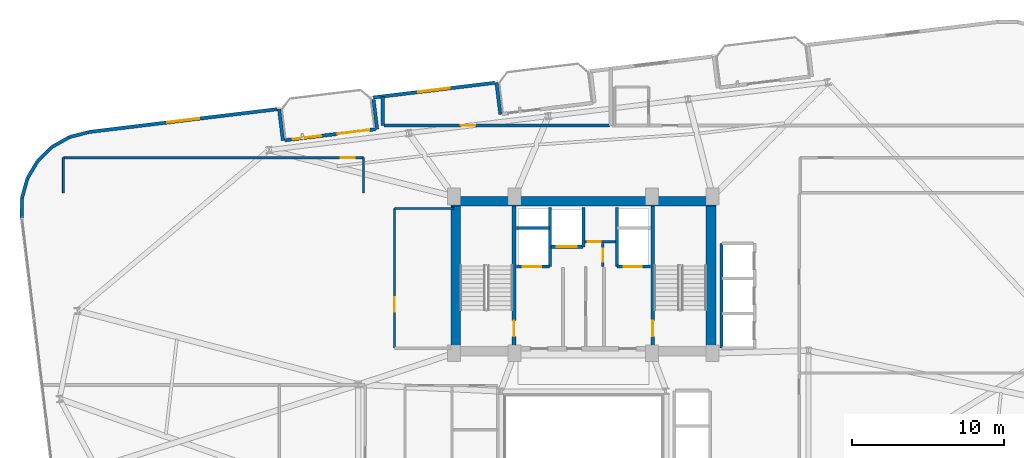
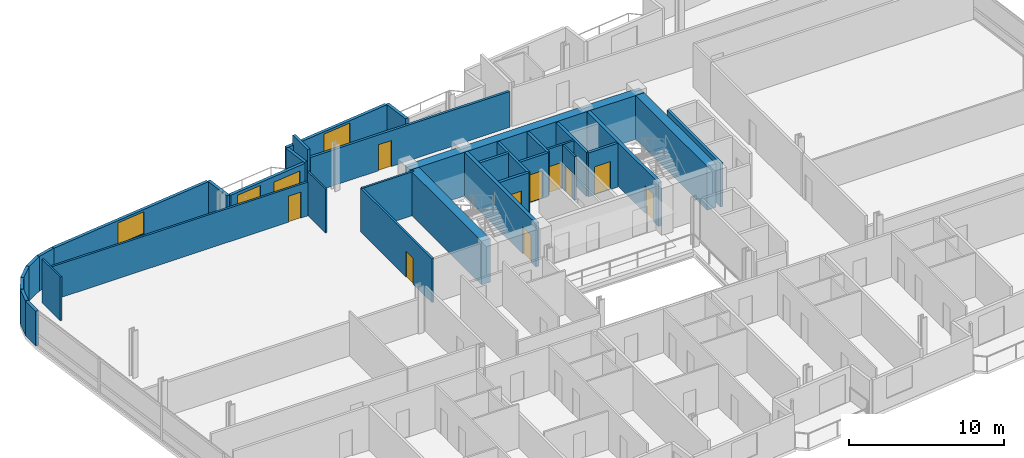
# One storey, part 18 of 24: 34 walls, 11 doors, 3 windows, 14 openings.
"""IFC4 building model written with IfcOpenShell, lengths in metres."""

from ifc_helpers import new_model, si_unit, direction, frame, frame_2d, origin, place, context, subcontext, project, spatial, rectangle, extrude, material, layer, layer_set, type_object, element, fill, save


model = new_model("IFC4")

# Units and contexts
model_context = context("Model", 3, precision=1e-05, world=origin(), true_north=direction((0.0, 1.0)))
body_context = subcontext(model_context, "Body", "Model", "MODEL_VIEW")
ifc_project = project(units=[si_unit("LENGTHUNIT", "METRE"), si_unit("AREAUNIT", "SQUARE_METRE"), si_unit("VOLUMEUNIT", "CUBIC_METRE"), si_unit("PLANEANGLEUNIT", "RADIAN"), si_unit("MASSUNIT", "GRAM", prefix="KILO")], contexts=[model_context])

# Site, building, storey
site_placement = place(None, origin())
site = spatial("IfcSite", under=ifc_project, at=site_placement, CompositionType="ELEMENT")
building_placement = place(site_placement, origin())
building = spatial("IfcBuilding", under=site, at=building_placement, Name="Varnelok Gate Tower", CompositionType="ELEMENT")
storey_placement = place(building_placement, frame((0.0, 0.0, 196.800048828125)))
storey = spatial("IfcBuildingStorey", under=building, at=storey_placement, Name="L50", CompositionType="ELEMENT", Elevation=196.800048828125)

# Wall, openings, door, window
ifc_material_1 = material(Name="Concrete C45/55", Category="concrete")
ifc_layer_1 = layer(ifc_material_1, 0.219970703125)
ifc_layer_set_1 = layer_set([ifc_layer_1], Name="Concrete C45/55")
wall_type_1 = type_object("IfcWallType", Name="EW-BALC-220", PredefinedType="SOLIDWALL", material=ifc_layer_set_1)
wall_1_placement = place(storey_placement, frame((19.556884765625, 42.7529296875, 0.0), z_axis=(0.0, 0.0, 1.0), x_axis=(0.992729951822, 0.120362962556, 0.0)))
wall_1 = element("IfcWall", 1, at=wall_1_placement, inside=storey, type_object=wall_type_1, Name="L50 North Terrace Envelope Wall 4", PredefinedType="SOLIDWALL", context=body_context, shape_type="SweptSolid", body=[
    extrude(rectangle(XDim=6.0, YDim=0.219970703125, at=frame_2d((3.0, 0.0))), origin(), (0.0, 0.0, 1.0), 2.72998046875),
])
opening_1_placement = place(wall_1_placement, frame((3.5, 0.0, 0.0)))
opening_1 = element("IfcOpeningElement", 2, at=opening_1_placement, cuts=wall_1, Name="Opening BD-2", PredefinedType="OPENING", context=body_context, shape_type="SweptSolid", body=[
    extrude(rectangle(XDim=2.10009765625, YDim=2.300048828125, at=frame_2d((1.050048828125, 1.14990234375))), frame((0.0, 0.119873046875, 0.0), z_axis=(0.0, -1.0, 0.0), x_axis=(1.0, 0.0, 0.0)), (0.0, 0.0, 1.0), 0.239990234375),
])
opening_2_placement = place(wall_1_placement, frame((0.550048828125, 0.0, 0.75)))
opening_2 = element("IfcOpeningElement", 3, at=opening_2_placement, cuts=wall_1, Name="Opening WN5", PredefinedType="OPENING", context=body_context, shape_type="SweptSolid", body=[
    extrude(rectangle(XDim=1.85009765625, YDim=1.75, at=frame_2d((0.925048828125, 0.875))), frame((0.0, 0.119873046875, 0.0), z_axis=(0.0, -1.0, 0.0), x_axis=(1.0, 0.0, 0.0)), (0.0, 0.0, 1.0), 0.239990234375),
])
ifc_material_2 = material(Name="Anodized Aluminum Alloy 6063-T6", Category="aluminium")
door_type_1 = type_object("IfcDoorType", Name="DR-EXT-SLID2100", OperationType="SLIDING_TO_LEFT", PredefinedType="DOOR", material=ifc_material_2)
door_1_placement = place(opening_1_placement, origin())
door_1 = element("IfcDoor", 4, at=door_1_placement, inside=storey, type_object=door_type_1, Name="L50 North Balcony Glazed Door 4", OperationType="SLIDING_TO_LEFT", OverallHeight=2.300048828125, OverallWidth=2.10009765625, PredefinedType="DOOR", context=body_context, shape_type="SweptSolid", body=[
    extrude(rectangle(XDim=2.10009765625, YDim=2.300048828125, at=frame_2d((1.050048828125, 1.14990234375))), frame((0.0, 0.02490234375, 0.0), z_axis=(0.0, -1.0, 0.0), x_axis=(1.0, 0.0, 0.0)), (0.0, 0.0, 1.0), 0.050048828125),
])
fill(opening_1, door_1)
ifc_material_3 = material(Name="Low-E Laminated Double Glazing IGU", Category="glass")
window_type_1 = type_object("IfcWindowType", Name="WN-RES-1850", PartitioningType="SINGLE_PANEL", PredefinedType="WINDOW", material=ifc_material_3)
window_1_placement = place(opening_2_placement, origin())
window_1 = element("IfcWindow", 5, at=window_1_placement, inside=storey, type_object=window_type_1, Name="L50 North Vision Window 4.1", OverallHeight=1.75, OverallWidth=1.85009765625, PartitioningType="SINGLE_PANEL", PredefinedType="WINDOW", context=body_context, shape_type="SweptSolid", body=[
    extrude(rectangle(XDim=1.85009765625, YDim=1.75, at=frame_2d((0.925048828125, 0.875))), frame((0.0, 0.030029296875, 0.0), z_axis=(0.0, -1.0, 0.0), x_axis=(1.0, 0.0, 0.0)), (0.0, 0.0, 1.0), 0.06005859375),
])
fill(opening_2, window_1)

# Wall
wall_2_placement = place(storey_placement, frame((33.734375, 44.46142578125, 0.0), z_axis=(0.0, 0.0, 1.0), x_axis=(-0.120327895535, 0.992734202874, 0.0)))
element("IfcWall", 6, at=wall_2_placement, inside=storey, type_object=wall_type_1, Name="L50 Perimeter Facade Closure Wall 34", PredefinedType="SOLIDWALL", context=body_context, shape_type="SweptSolid", body=[
    extrude(rectangle(XDim=2.099853515625, YDim=0.219970703125, at=frame_2d((1.0498046875, 0.0))), origin(), (0.0, 0.0, 1.0), 2.72998046875),
])

# Wall, opening, window
wall_3_placement = place(storey_placement, frame((33.357421875, 46.53125, 0.0), z_axis=(0.0, 0.0, 1.0), x_axis=(-0.992731032022, -0.120354052946, 0.0)))
wall_3 = element("IfcWall", 7, at=wall_3_placement, inside=storey, type_object=wall_type_1, Name="L50 Perimeter Facade Closure Wall 35", PredefinedType="SOLIDWALL", context=body_context, shape_type="SweptSolid", body=[
    extrude(rectangle(XDim=8.034912109375, YDim=0.219970703125, at=frame_2d((4.017578125, 0.0))), origin(), (0.0, 0.0, 1.0), 2.72998046875),
])
opening_3_placement = place(wall_3_placement, frame((2.967529296875, 0.0, 0.800048828125)))
opening_3 = element("IfcOpeningElement", 8, at=opening_3_placement, cuts=wall_3, Name="Opening WN4", PredefinedType="OPENING", context=body_context, shape_type="SweptSolid", body=[
    extrude(rectangle(XDim=2.10009765625, YDim=1.75, at=frame_2d((1.050048828125, 0.875))), frame((0.0, 0.119873046875, 0.0), z_axis=(0.0, -1.0, 0.0), x_axis=(1.0, 0.0, 0.0)), (0.0, 0.0, 1.0), 0.239990234375),
])
window_type_2 = type_object("IfcWindowType", Name="WN-SUI-2100", PartitioningType="SINGLE_PANEL", PredefinedType="WINDOW", material=ifc_material_3)
window_2_placement = place(opening_3_placement, origin())
window_2 = element("IfcWindow", 9, at=window_2_placement, inside=storey, type_object=window_type_2, Name="L50 Perimeter Vision Window 35", OverallHeight=1.75, OverallWidth=2.10009765625, PartitioningType="SINGLE_PANEL", PredefinedType="WINDOW", context=body_context, shape_type="SweptSolid", body=[
    extrude(rectangle(XDim=2.10009765625, YDim=1.75, at=frame_2d((1.050048828125, 0.875))), frame((0.0, 0.030029296875, 0.0), z_axis=(0.0, -1.0, 0.0), x_axis=(1.0, 0.0, 0.0)), (0.0, 0.0, 1.0), 0.06005859375),
])
fill(opening_3, window_2)

# Walls
wall_4_placement = place(storey_placement, frame((25.39599609375, 45.440185546875, 0.0), z_axis=(0.0, 0.0, 1.0), x_axis=(0.120275992932, -0.992740492538, 0.0)))
element("IfcWall", 10, at=wall_4_placement, inside=storey, type_object=wall_type_1, Name="L50 Perimeter Facade Closure Wall 36", PredefinedType="SOLIDWALL", context=body_context, shape_type="SweptSolid", body=[
    extrude(rectangle(XDim=1.97509765625, YDim=0.219970703125, at=frame_2d((0.987548828125, 0.0))), origin(), (0.0, 0.0, 1.0), 2.72998046875),
])
wall_5_placement = place(storey_placement, frame((19.43896484375, 42.728515625, 0.0), z_axis=(0.0, 0.0, 1.0), x_axis=(-0.120327895535, 0.992734202874, 0.0)))
element("IfcWall", 11, at=wall_5_placement, inside=storey, type_object=wall_type_1, Name="L50 Perimeter Facade Closure Wall 37", PredefinedType="SOLIDWALL", context=body_context, shape_type="SweptSolid", body=[
    extrude(rectangle(XDim=2.099853515625, YDim=0.219970703125, at=frame_2d((1.0498046875, 0.0))), origin(), (0.0, 0.0, 1.0), 2.72998046875),
])

# Wall, opening, window
wall_6_placement = place(storey_placement, frame((19.06201171875, 44.798095703125, 0.0), z_axis=(0.0, 0.0, 1.0), x_axis=(-0.992733569027, -0.120333124809, 0.0)))
wall_6 = element("IfcWall", 12, at=wall_6_placement, inside=storey, type_object=wall_type_1, Name="L50 Perimeter Facade Closure Wall 38", PredefinedType="SOLIDWALL", context=body_context, shape_type="SweptSolid", body=[
    extrude(rectangle(XDim=12.447021484375, YDim=0.219970703125, at=frame_2d((6.2236328125, 0.0))), origin(), (0.0, 0.0, 1.0), 2.72998046875),
])
opening_4_placement = place(wall_6_placement, frame((5.173583984375, 0.0, 0.800048828125)))
opening_4 = element("IfcOpeningElement", 13, at=opening_4_placement, cuts=wall_6, Name="Opening WN4", PredefinedType="OPENING", context=body_context, shape_type="SweptSolid", body=[
    extrude(rectangle(XDim=2.10009765625, YDim=1.75, at=frame_2d((1.050048828125, 0.875))), frame((0.0, 0.119873046875, 0.0), z_axis=(0.0, -1.0, 0.0), x_axis=(1.0, 0.0, 0.0)), (0.0, 0.0, 1.0), 0.239990234375),
])
window_3_placement = place(opening_4_placement, origin())
window_3 = element("IfcWindow", 14, at=window_3_placement, inside=storey, type_object=window_type_2, Name="L50 Perimeter Vision Window 38", OverallHeight=1.75, OverallWidth=2.10009765625, PartitioningType="SINGLE_PANEL", PredefinedType="WINDOW", context=body_context, shape_type="SweptSolid", body=[
    extrude(rectangle(XDim=2.10009765625, YDim=1.75, at=frame_2d((1.050048828125, 0.875))), frame((0.0, 0.030029296875, 0.0), z_axis=(0.0, -1.0, 0.0), x_axis=(1.0, 0.0, 0.0)), (0.0, 0.0, 1.0), 0.06005859375),
])
fill(opening_4, window_3)

# Walls
wall_7_placement = place(storey_placement, frame((6.68115234375, 43.294189453125, 0.0), z_axis=(0.0, 0.0, 1.0), x_axis=(-0.968496788899, -0.2490260426, 0.0)))
element("IfcWall", 15, at=wall_7_placement, inside=storey, type_object=wall_type_1, Name="L50 Perimeter Facade Closure Wall 39", PredefinedType="SOLIDWALL", context=body_context, shape_type="SweptSolid", body=[
    extrude(rectangle(XDim=1.308837890625, YDim=0.219970703125, at=frame_2d((0.654296875, 0.0))), origin(), (0.0, 0.0, 1.0), 2.72998046875),
])
for number, where, z_axis, x_axis, name in (
    (16, (5.391845703125, 42.9560546875, 0.0), (0.0, 0.0, 1.0), (-0.87105877335, -0.491178799797, 0.0), "L50 Perimeter Facade Closure Wall 40"),
    (17, (4.24072265625, 42.299560546875, 0.0), (0.0, 0.0, 1.0), (-0.714389219205, -0.699748557329, 0.0), "L50 Perimeter Facade Closure Wall 41"),
):
    element("IfcWall", number, at=place(storey_placement, frame(where, z_axis=z_axis, x_axis=x_axis)), inside=storey, type_object=wall_type_1, Name=name, PredefinedType="SOLIDWALL", context=body_context, shape_type="SweptSolid", body=[
        extrude(rectangle(XDim=1.30078125, YDim=0.219970703125, at=frame_2d((0.650390625, 0.0))), origin(), (0.0, 0.0, 1.0), 2.72998046875),
    ])
wall_8_placement = place(storey_placement, frame((3.298583984375, 41.367919921875, 0.0), z_axis=(0.0, 0.0, 1.0), x_axis=(-0.508716668029, -0.860933999601, 0.0)))
element("IfcWall", 18, at=wall_8_placement, inside=storey, type_object=wall_type_1, Name="L50 Perimeter Facade Closure Wall 42", PredefinedType="SOLIDWALL", context=body_context, shape_type="SweptSolid", body=[
    extrude(rectangle(XDim=1.301025390625, YDim=0.219970703125, at=frame_2d((0.650390625, 0.0))), origin(), (0.0, 0.0, 1.0), 2.72998046875),
])
for number, where, z_axis, x_axis, name in (
    (19, (2.630126953125, 40.223876953125, 0.0), (0.0, 0.0, 1.0), (-0.26876657226, -0.963205341366, 0.0), "L50 Perimeter Facade Closure Wall 43"),
    (20, (2.2802734375, 38.94580078125, 0.0), (0.0, 0.0, 1.0), (-0.01013461463, -0.999948643474, 0.0), "L50 Perimeter Facade Closure Wall 44"),
):
    element("IfcWall", number, at=place(storey_placement, frame(where, z_axis=z_axis, x_axis=x_axis)), inside=storey, type_object=wall_type_1, Name=name, PredefinedType="SOLIDWALL", context=body_context, shape_type="SweptSolid", body=[
        extrude(rectangle(XDim=1.30078125, YDim=0.219970703125, at=frame_2d((0.650390625, 0.0))), origin(), (0.0, 0.0, 1.0), 2.72998046875),
    ])

# Wall, opening, door
ifc_material_4 = material(Name="Gypsum Plasterboard Acoustic Partition", Category="gypsum")
ifc_layer_2 = layer(ifc_material_4, 0.179931640625)
ifc_layer_set_2 = layer_set([ifc_layer_2], Name="Gypsum Plasterboard Acoustic Partition")
wall_type_2 = type_object("IfcWallType", Name="PW-CORR-180", PredefinedType="PARTITIONING", material=ifc_layer_set_2)
wall_9_placement = place(storey_placement, frame((26.080078125, 43.72998046875, 0.0), z_axis=(0.0, 0.0, 1.0), x_axis=(1.0, 0.0, 0.0)))
wall_9 = element("IfcWall", 21, at=wall_9_placement, inside=storey, type_object=wall_type_2, Name="Interior Partition", PredefinedType="PARTITIONING", context=body_context, shape_type="SweptSolid", body=[
    extrude(rectangle(XDim=14.83984375, YDim=0.179931640625, at=frame_2d((7.419921875, 0.0))), origin(), (0.0, 0.0, 1.0), 2.823974609375),
])
opening_5_placement = place(wall_9_placement, frame((5.06201171875, 0.0, 0.0)))
opening_5 = element("IfcOpeningElement", 22, at=opening_5_placement, cuts=wall_9, Name="Opening D-I2", PredefinedType="OPENING", context=body_context, shape_type="SweptSolid", body=[
    extrude(rectangle(XDim=0.949951171875, YDim=2.050048828125, at=frame_2d((0.47509765625, 1.02490234375))), frame((0.0, 0.099853515625, 0.0), z_axis=(0.0, -1.0, 0.0), x_axis=(1.0, 0.0, 0.0)), (0.0, 0.0, 1.0), 0.199951171875),
])
ifc_material_5 = material(Name="Engineered Hardwood Timber", Category="wood")
door_type_2 = type_object("IfcDoorType", Name="DR-INT-950", OperationType="NOTDEFINED", PredefinedType="DOOR", material=ifc_material_5)
door_2_placement = place(opening_5_placement, origin())
door_2 = element("IfcDoor", 23, at=door_2_placement, inside=storey, type_object=door_type_2, Name="L50 Children Playroom Door", OperationType="SINGLE_SWING_LEFT", OverallHeight=2.050048828125, OverallWidth=0.949951171875, PredefinedType="DOOR", context=body_context, shape_type="SweptSolid", body=[
    extrude(rectangle(XDim=0.949951171875, YDim=2.050048828125, at=frame_2d((0.47509765625, 1.02490234375))), frame((0.0, 0.02490234375, 0.0), z_axis=(0.0, -1.0, 0.0), x_axis=(1.0, 0.0, 0.0)), (0.0, 0.0, 1.0), 0.050048828125),
])
fill(opening_5, door_2)

# Walls
ifc_layer_3 = layer(ifc_material_4, 0.125)
ifc_layer_set_3 = layer_set([ifc_layer_3], Name="Gypsum Plasterboard Acoustic Partition")
wall_type_3 = type_object("IfcWallType", Name="PW-PART-125", PredefinedType="PARTITIONING", material=ifc_layer_set_3)
for number, where, z_axis, x_axis, name in (
    (24, (5.0, 39.300048828125, 0.0), (0.0, 0.0, 1.0), (0.0, 1.0, 0.0), "Interior Partition"),
    (25, (24.739990234375, 39.300048828125, 0.0), (0.0, 0.0, 1.0), (0.0, 1.0, 0.0), "Interior Partition"),
):
    element("IfcWall", number, at=place(storey_placement, frame(where, z_axis=z_axis, x_axis=x_axis)), inside=storey, type_object=wall_type_3, Name=name, PredefinedType="PARTITIONING", context=body_context, shape_type="SweptSolid", body=[
        extrude(rectangle(XDim=2.31005859375, YDim=0.125, at=frame_2d((1.155029296875, 0.0))), origin(), (0.0, 0.0, 1.0), 3.449951171875),
    ])

# Wall, opening, door
ifc_layer_4 = layer(ifc_material_4, 0.14990234375)
ifc_layer_set_4 = layer_set([ifc_layer_4], Name="Gypsum Plasterboard Acoustic Partition")
wall_type_4 = type_object("IfcWallType", Name="PW-PART-150", PredefinedType="PARTITIONING", material=ifc_layer_set_4)
wall_10_placement = place(storey_placement, frame((5.0, 41.610107421875, 0.0), z_axis=(0.0, 0.0, 1.0), x_axis=(1.0, 0.0, 0.0)))
wall_10 = element("IfcWall", 26, at=wall_10_placement, inside=storey, type_object=wall_type_4, Name="Interior Partition", PredefinedType="PARTITIONING", context=body_context, shape_type="SweptSolid", body=[
    extrude(rectangle(XDim=19.739990234375, YDim=0.14990234375, at=frame_2d((9.8701171875, 0.0))), origin(), (0.0, 0.0, 1.0), 2.661865234375),
])
opening_6_placement = place(wall_10_placement, frame((18.233642578125, 0.0, 0.0)))
opening_6 = element("IfcOpeningElement", 27, at=opening_6_placement, cuts=wall_10, Name="Opening D-I3", PredefinedType="OPENING", context=body_context, shape_type="SweptSolid", body=[
    extrude(rectangle(XDim=0.919921875, YDim=2.050048828125, at=frame_2d((0.4599609375, 1.02490234375))), frame((0.0, 0.0849609375, 0.0), z_axis=(0.0, -1.0, 0.0), x_axis=(1.0, 0.0, 0.0)), (0.0, 0.0, 1.0), 0.169921875),
])
door_type_3 = type_object("IfcDoorType", Name="DR-INT-920", OperationType="NOTDEFINED", PredefinedType="DOOR", material=ifc_material_5)
door_3_placement = place(opening_6_placement, origin())
door_3 = element("IfcDoor", 28, at=door_3_placement, inside=storey, type_object=door_type_3, Name="L50 North Study 1 Door", OperationType="SINGLE_SWING_RIGHT", OverallHeight=2.050048828125, OverallWidth=0.919921875, PredefinedType="DOOR", context=body_context, shape_type="SweptSolid", body=[
    extrude(rectangle(XDim=0.919921875, YDim=2.050048828125, at=frame_2d((0.4599609375, 1.02490234375))), frame((0.0, 0.02490234375, 0.0), z_axis=(0.0, -1.0, 0.0), x_axis=(1.0, 0.0, 0.0)), (0.0, 0.0, 1.0), 0.050048828125),
])
fill(opening_6, door_3)

wall_11_placement = place(storey_placement, frame((39.300048828125, 36.080078125, 0.0), z_axis=(0.0, 0.0, 1.0), x_axis=(1.0, 0.0, 0.0)))
wall_11 = element("IfcWall", 29, at=wall_11_placement, inside=storey, type_object=wall_type_4, Name="L50 Electrical Closet South Wall", PredefinedType="PARTITIONING", context=body_context, shape_type="SweptSolid", body=[
    extrude(rectangle(XDim=2.02001953125, YDim=0.14990234375, at=frame_2d((1.010009765625, 0.0))), origin(), (0.0, 0.0, 1.0), 3.449951171875),
])
opening_7_placement = place(wall_11_placement, frame((0.179931640625, 0.0, 0.0)))
opening_7 = element("IfcOpeningElement", 30, at=opening_7_placement, cuts=wall_11, Name="Opening D-RS", PredefinedType="OPENING", context=body_context, shape_type="SweptSolid", body=[
    extrude(rectangle(XDim=0.85009765625, YDim=2.050048828125, at=frame_2d((0.425048828125, 1.02490234375))), frame((0.0, 0.0849609375, 0.0), z_axis=(0.0, -1.0, 0.0), x_axis=(1.0, 0.0, 0.0)), (0.0, 0.0, 1.0), 0.169921875),
])
ifc_material_6 = material(Name="Galvanized Steel Grade S350GD", Category="steel")
door_type_4 = type_object("IfcDoorType", Name="DR-RISER-850", OperationType="NOTDEFINED", PredefinedType="DOOR", material=ifc_material_6)
door_4_placement = place(opening_7_placement, origin())
door_4 = element("IfcDoor", 31, at=door_4_placement, inside=storey, type_object=door_type_4, Name="L50 Electrical Closet Door", OperationType="SINGLE_SWING_RIGHT", OverallHeight=2.050048828125, OverallWidth=0.85009765625, PredefinedType="DOOR", context=body_context, shape_type="SweptSolid", body=[
    extrude(rectangle(XDim=0.85009765625, YDim=2.050048828125, at=frame_2d((0.425048828125, 1.02490234375))), frame((0.0, 0.02490234375, 0.0), z_axis=(0.0, -1.0, 0.0), x_axis=(1.0, 0.0, 0.0)), (0.0, 0.0, 1.0), 0.050048828125),
])
fill(opening_7, door_4)

wall_12_placement = place(storey_placement, frame((40.47998046875, 34.43994140625, 0.0), z_axis=(0.0, 0.0, 1.0), x_axis=(0.0, 1.0, 0.0)))
wall_12 = element("IfcWall", 32, at=wall_12_placement, inside=storey, type_object=wall_type_4, Name="L50 Telecoms Closet West Wall", PredefinedType="PARTITIONING", context=body_context, shape_type="SweptSolid", body=[
    extrude(rectangle(XDim=1.52001953125, YDim=0.14990234375, at=frame_2d((0.760009765625, 0.0))), origin(), (0.0, 0.0, 1.0), 3.449951171875),
])
opening_8_placement = place(wall_12_placement, frame((0.320068359375, 0.0, 0.0)))
opening_8 = element("IfcOpeningElement", 33, at=opening_8_placement, cuts=wall_12, Name="Opening D-RS", PredefinedType="OPENING", context=body_context, shape_type="SweptSolid", body=[
    extrude(rectangle(XDim=0.85009765625, YDim=2.050048828125, at=frame_2d((0.425048828125, 1.02490234375))), frame((0.0, 0.0849609375, 0.0), z_axis=(0.0, -1.0, 0.0), x_axis=(1.0, 0.0, 0.0)), (0.0, 0.0, 1.0), 0.169921875),
])
door_5_placement = place(opening_8_placement, origin())
door_5 = element("IfcDoor", 34, at=door_5_placement, inside=storey, type_object=door_type_4, Name="L50 Telecoms Closet Door", OperationType="SINGLE_SWING_LEFT", OverallHeight=2.050048828125, OverallWidth=0.85009765625, PredefinedType="DOOR", context=body_context, shape_type="SweptSolid", body=[
    extrude(rectangle(XDim=0.85009765625, YDim=2.050048828125, at=frame_2d((0.425048828125, 1.02490234375))), frame((0.0, 0.02490234375, 0.0), z_axis=(0.0, -1.0, 0.0), x_axis=(1.0, 0.0, 0.0)), (0.0, 0.0, 1.0), 0.050048828125),
])
fill(opening_8, door_5)

# Wall
wall_13_placement = place(storey_placement, frame((26.780029296875, 38.260009765625, 0.0), z_axis=(0.0, 0.0, 1.0), x_axis=(1.0, 0.0, 0.0)))
element("IfcWall", 35, at=wall_13_placement, inside=storey, type_object=wall_type_4, Name="Interior Partition", PredefinedType="PARTITIONING", context=body_context, shape_type="SweptSolid", body=[
    extrude(rectangle(XDim=3.89990234375, YDim=0.14990234375, at=frame_2d((1.949951171875, 0.0))), origin(), (0.0, 0.0, 1.0), 3.449951171875),
])

# Wall, opening, door
wall_14_placement = place(storey_placement, frame((26.780029296875, 29.080078125, 0.0), z_axis=(0.0, 0.0, 1.0), x_axis=(0.0, 1.0, 0.0)))
wall_14 = element("IfcWall", 36, at=wall_14_placement, inside=storey, type_object=wall_type_4, Name="Interior Partition", PredefinedType="PARTITIONING", context=body_context, shape_type="SweptSolid", body=[
    extrude(rectangle(XDim=9.179931640625, YDim=0.14990234375, at=frame_2d((4.58984375, 0.0))), origin(), (0.0, 0.0, 1.0), 3.449951171875),
])
opening_9_placement = place(wall_14_placement, frame((2.39990234375, 0.0, 0.0)))
opening_9 = element("IfcOpeningElement", 37, at=opening_9_placement, cuts=wall_14, Name="Opening D-I2", PredefinedType="OPENING", context=body_context, shape_type="SweptSolid", body=[
    extrude(rectangle(XDim=0.949951171875, YDim=2.050048828125, at=frame_2d((0.47509765625, 1.02490234375))), frame((0.0, 0.0849609375, 0.0), z_axis=(0.0, -1.0, 0.0), x_axis=(1.0, 0.0, 0.0)), (0.0, 0.0, 1.0), 0.169921875),
])
door_6_placement = place(opening_9_placement, origin())
door_6 = element("IfcDoor", 38, at=door_6_placement, inside=storey, type_object=door_type_2, Name="L50 Reclaimed Housekeeping Door", OperationType="SINGLE_SWING_RIGHT", OverallHeight=2.050048828125, OverallWidth=0.949951171875, PredefinedType="DOOR", context=body_context, shape_type="SweptSolid", body=[
    extrude(rectangle(XDim=0.949951171875, YDim=2.050048828125, at=frame_2d((0.47509765625, 1.02490234375))), frame((0.0, 0.02490234375, 0.0), z_axis=(0.0, -1.0, 0.0), x_axis=(1.0, 0.0, 0.0)), (0.0, 0.0, 1.0), 0.050048828125),
])
fill(opening_9, door_6)

# Wall
ifc_layer_5 = layer(ifc_material_4, 0.205078125)
ifc_layer_set_5 = layer_set([ifc_layer_5], Name="Gypsum Plasterboard Acoustic Partition")
wall_type_5 = type_object("IfcWallType", Name="PW-PARTY-200", PredefinedType="PARTITIONING", material=ifc_layer_set_5)
wall_15_placement = place(storey_placement, frame((26.0, 43.72998046875, 0.0), z_axis=(0.0, 0.0, 1.0), x_axis=(0.0, 1.0, 0.0)))
element("IfcWall", 39, at=wall_15_placement, inside=storey, type_object=wall_type_5, Name="L50 North Party Wall 1", PredefinedType="PARTITIONING", context=body_context, shape_type="SweptSolid", body=[
    extrude(rectangle(XDim=1.88916015625, YDim=0.205078125, at=frame_2d((0.944580078125, 0.0))), origin(), (0.0, 0.0, 1.0), 3.449951171875),
])

# Wall, opening, door
ifc_material_7 = material(Name="Concrete C35/45", Category="concrete")
ifc_layer_6 = layer(ifc_material_7, 0.199951171875)
ifc_layer_set_6 = layer_set([ifc_layer_6], Name="Concrete C35/45")
wall_type_6 = type_object("IfcWallType", Name="PW-SHAFT-200", PredefinedType="PARTITIONING", material=ifc_layer_set_6)
wall_16_placement = place(storey_placement, frame((34.800048828125, 34.43994140625, 0.0), z_axis=(0.0, 0.0, 1.0), x_axis=(1.0, 0.0, 0.0)))
wall_16 = element("IfcWall", 40, at=wall_16_placement, inside=storey, type_object=wall_type_6, Name="L50 FF1 Shaft Front Wall", PredefinedType="PARTITIONING", context=body_context, shape_type="SweptSolid", body=[
    extrude(rectangle(XDim=2.179931640625, YDim=0.199951171875, at=frame_2d((1.08984375, 0.0))), origin(), (0.0, 0.0, 1.0), 3.449951171875),
])
opening_10_placement = place(wall_16_placement, frame((0.419921875, 0.0, 0.0)))
opening_10 = element("IfcOpeningElement", 41, at=opening_10_placement, cuts=wall_16, Name="Opening LD-FF1", PredefinedType="OPENING", context=body_context, shape_type="SweptSolid", body=[
    extrude(rectangle(XDim=1.199951171875, YDim=2.199951171875, at=frame_2d((0.60009765625, 1.10009765625))), frame((0.0, 0.10986328125, 0.0), z_axis=(0.0, -1.0, 0.0), x_axis=(1.0, 0.0, 0.0)), (0.0, 0.0, 1.0), 0.219970703125),
])
door_type_5 = type_object("IfcDoorType", Name="DR-LIFT-FF1200", OperationType="SLIDING_TO_LEFT", PredefinedType="DOOR", material=ifc_material_6)
door_7_placement = place(opening_10_placement, origin())
door_7 = element("IfcDoor", 42, at=door_7_placement, inside=storey, type_object=door_type_5, Name="L50 Firefighting Lift Landing Door LD-FF1", OperationType="SLIDING_TO_LEFT", OverallHeight=2.199951171875, OverallWidth=1.199951171875, PredefinedType="DOOR", context=body_context, shape_type="SweptSolid", body=[
    extrude(rectangle(XDim=1.199951171875, YDim=2.199951171875, at=frame_2d((0.60009765625, 1.10009765625))), frame((0.0, 0.02490234375, 0.0), z_axis=(0.0, -1.0, 0.0), x_axis=(1.0, 0.0, 0.0)), (0.0, 0.0, 1.0), 0.050048828125),
])
fill(opening_10, door_7)

# Walls
wall_17_placement = place(storey_placement, frame((34.800048828125, 36.97998046875, 0.0), z_axis=(0.0, 0.0, 1.0), x_axis=(1.0, 0.0, 0.0)))
element("IfcWall", 43, at=wall_17_placement, inside=storey, type_object=wall_type_6, Name="L50 FF1 Shaft North Wall", PredefinedType="PARTITIONING", context=body_context, shape_type="SweptSolid", body=[
    extrude(rectangle(XDim=2.179931640625, YDim=0.199951171875, at=frame_2d((1.08984375, 0.0))), origin(), (0.0, 0.0, 1.0), 3.449951171875),
])
wall_18_placement = place(storey_placement, frame((37.0, 34.43994140625, 0.0), z_axis=(0.0, 0.0, 1.0), x_axis=(0.0, 1.0, 0.0)))
element("IfcWall", 44, at=wall_18_placement, inside=storey, type_object=wall_type_6, Name="L50 FF1 Shaft Side Wall", PredefinedType="PARTITIONING", context=body_context, shape_type="SweptSolid", body=[
    extrude(rectangle(XDim=3.900146484375, YDim=0.199951171875, at=frame_2d((1.9501953125, 0.0))), origin(), (0.0, 0.0, 1.0), 3.449951171875),
])

# Wall, opening, door
wall_19_placement = place(storey_placement, frame((41.419921875, 34.43994140625, 0.0), z_axis=(0.0, 0.0, 1.0), x_axis=(1.0, 0.0, 0.0)))
wall_19 = element("IfcWall", 45, at=wall_19_placement, inside=storey, type_object=wall_type_6, Name="L50 FF2 Shaft Front Wall", PredefinedType="PARTITIONING", context=body_context, shape_type="SweptSolid", body=[
    extrude(rectangle(XDim=2.18017578125, YDim=0.199951171875, at=frame_2d((1.090087890625, 0.0))), origin(), (0.0, 0.0, 1.0), 3.449951171875),
])
opening_11_placement = place(wall_19_placement, frame((0.419921875, 0.0, 0.0)))
opening_11 = element("IfcOpeningElement", 46, at=opening_11_placement, cuts=wall_19, Name="Opening LD-FF2", PredefinedType="OPENING", context=body_context, shape_type="SweptSolid", body=[
    extrude(rectangle(XDim=1.199951171875, YDim=2.199951171875, at=frame_2d((0.60009765625, 1.10009765625))), frame((0.0, 0.10986328125, 0.0), z_axis=(0.0, -1.0, 0.0), x_axis=(1.0, 0.0, 0.0)), (0.0, 0.0, 1.0), 0.219970703125),
])
door_8_placement = place(opening_11_placement, origin())
door_8 = element("IfcDoor", 47, at=door_8_placement, inside=storey, type_object=door_type_5, Name="L50 Firefighting Lift Landing Door LD-FF2", OperationType="SLIDING_TO_LEFT", OverallHeight=2.199951171875, OverallWidth=1.199951171875, PredefinedType="DOOR", context=body_context, shape_type="SweptSolid", body=[
    extrude(rectangle(XDim=1.199951171875, YDim=2.199951171875, at=frame_2d((0.60009765625, 1.10009765625))), frame((0.0, 0.02490234375, 0.0), z_axis=(0.0, -1.0, 0.0), x_axis=(1.0, 0.0, 0.0)), (0.0, 0.0, 1.0), 0.050048828125),
])
fill(opening_11, door_8)

# Wall
wall_20_placement = place(storey_placement, frame((41.39990234375, 34.43994140625, 0.0), z_axis=(0.0, 0.0, 1.0), x_axis=(0.0, 1.0, 0.0)))
element("IfcWall", 48, at=wall_20_placement, inside=storey, type_object=wall_type_6, Name="L50 FF2 Shaft Side Wall", PredefinedType="PARTITIONING", context=body_context, shape_type="SweptSolid", body=[
    extrude(rectangle(XDim=3.900146484375, YDim=0.199951171875, at=frame_2d((1.9501953125, 0.0))), origin(), (0.0, 0.0, 1.0), 3.449951171875),
])

# Wall, opening, door
wall_21_placement = place(storey_placement, frame((37.06005859375, 35.75, 0.0), z_axis=(0.0, 0.0, 1.0), x_axis=(1.0, 0.0, 0.0)))
wall_21 = element("IfcWall", 49, at=wall_21_placement, inside=storey, type_object=wall_type_6, Name="L50 SV1 Shaft Front Wall", PredefinedType="PARTITIONING", context=body_context, shape_type="SweptSolid", body=[
    extrude(rectangle(XDim=2.119873046875, YDim=0.199951171875, at=frame_2d((1.06005859375, 0.0))), origin(), (0.0, 0.0, 1.0), 3.449951171875),
])
opening_12_placement = place(wall_21_placement, frame((0.39990234375, 0.0, 0.0)))
opening_12 = element("IfcOpeningElement", 50, at=opening_12_placement, cuts=wall_21, Name="Opening LD-SV1", PredefinedType="OPENING", context=body_context, shape_type="SweptSolid", body=[
    extrude(rectangle(XDim=1.300048828125, YDim=2.199951171875, at=frame_2d((0.64990234375, 1.10009765625))), frame((0.0, 0.10986328125, 0.0), z_axis=(0.0, -1.0, 0.0), x_axis=(1.0, 0.0, 0.0)), (0.0, 0.0, 1.0), 0.219970703125),
])
door_type_6 = type_object("IfcDoorType", Name="DR-LIFT-SV1300", OperationType="SLIDING_TO_LEFT", PredefinedType="DOOR", material=ifc_material_6)
door_9_placement = place(opening_12_placement, origin())
door_9 = element("IfcDoor", 51, at=door_9_placement, inside=storey, type_object=door_type_6, Name="L50 Service Lift Landing Door LD-SV1", OperationType="SLIDING_TO_LEFT", OverallHeight=2.199951171875, OverallWidth=1.300048828125, PredefinedType="DOOR", context=body_context, shape_type="SweptSolid", body=[
    extrude(rectangle(XDim=1.300048828125, YDim=2.199951171875, at=frame_2d((0.64990234375, 1.10009765625))), frame((0.0, 0.02490234375, 0.0), z_axis=(0.0, -1.0, 0.0), x_axis=(1.0, 0.0, 0.0)), (0.0, 0.0, 1.0), 0.050048828125),
])
fill(opening_12, door_9)

# Walls
wall_22_placement = place(storey_placement, frame((39.219970703125, 35.75, 0.0), z_axis=(0.0, 0.0, 1.0), x_axis=(0.0, 1.0, 0.0)))
element("IfcWall", 52, at=wall_22_placement, inside=storey, type_object=wall_type_6, Name="L50 SV1 Shaft East Wall", PredefinedType="PARTITIONING", context=body_context, shape_type="SweptSolid", body=[
    extrude(rectangle(XDim=2.590087890625, YDim=0.199951171875, at=frame_2d((1.294921875, 0.0))), origin(), (0.0, 0.0, 1.0), 3.449951171875),
])
wall_23_placement = place(storey_placement, frame((48.280029296875, 29.080078125, 0.0), z_axis=(0.0, 0.0, 1.0), x_axis=(0.0, 1.0, 0.0)))
element("IfcWall", 53, at=wall_23_placement, inside=storey, type_object=wall_type_6, Name="L50 PM Bank Back Wall", PredefinedType="PARTITIONING", context=body_context, shape_type="SweptSolid", body=[
    extrude(rectangle(XDim=6.889892578125, YDim=0.199951171875, at=frame_2d((3.44482421875, 0.0))), origin(), (0.0, 0.0, 1.0), 3.449951171875),
])
ifc_material_8 = material(Name="Concrete C60/75", Category="concrete")
ifc_layer_7 = layer(ifc_material_8, 0.64990234375)
ifc_layer_set_7 = layer_set([ifc_layer_7], Name="Concrete C60/75")
wall_type_7 = type_object("IfcWallType", Name="SW-CORE-650", PredefinedType="SHEAR", material=ifc_layer_set_7)
wall_24_placement = place(storey_placement, frame((30.47998046875, 38.7451171875, 0.0), z_axis=(0.0, 0.0, 1.0), x_axis=(1.0, 0.0, 0.0)))
element("IfcWall", 54, at=wall_24_placement, inside=storey, type_object=wall_type_7, Name="L50 Rear Core North Shear Wall", PredefinedType="SHEAR", context=body_context, shape_type="SweptSolid", body=[
    extrude(rectangle(XDim=17.43994140625, YDim=0.64990234375, at=frame_2d((8.719970703125, 0.0))), origin(), (0.0, 0.0, 1.0), 3.449951171875),
])
for number, where, z_axis, x_axis, name in (
    (55, (30.804931640625, 29.199951171875, 0.0), (0.0, 0.0, 1.0), (0.0, 1.0, 0.0), "L50 Rear Core West Shear Wall"),
    (56, (47.594970703125, 29.199951171875, 0.0), (0.0, 0.0, 1.0), (0.0, 1.0, 0.0), "L50 Rear Core East Shear Wall"),
):
    element("IfcWall", number, at=place(storey_placement, frame(where, z_axis=z_axis, x_axis=x_axis)), inside=storey, type_object=wall_type_7, Name=name, PredefinedType="SHEAR", context=body_context, shape_type="SweptSolid", body=[
        extrude(rectangle(XDim=9.219970703125, YDim=0.64990234375, at=frame_2d((4.60986328125, 0.0))), origin(), (0.0, 0.0, 1.0), 3.449951171875),
    ])

# Wall, opening, door
ifc_layer_8 = layer(ifc_material_8, 0.25)
ifc_layer_set_8 = layer_set([ifc_layer_8], Name="Concrete C60/75")
wall_type_8 = type_object("IfcWallType", Name="SW-SHAFT-250", PredefinedType="SHEAR", material=ifc_layer_set_8)
wall_25_placement = place(storey_placement, frame((34.639892578125, 29.199951171875, 0.0), z_axis=(0.0, 0.0, 1.0), x_axis=(0.0, 1.0, 0.0)))
wall_25 = element("IfcWall", 57, at=wall_25_placement, inside=storey, type_object=wall_type_8, Name="L50 Stair ST-1 East Shear Wall", PredefinedType="SHEAR", context=body_context, shape_type="SweptSolid", body=[
    extrude(rectangle(XDim=9.219970703125, YDim=0.25, at=frame_2d((4.60986328125, 0.0))), origin(), (0.0, 0.0, 1.0), 3.449951171875),
])
opening_13_placement = place(wall_25_placement, frame((0.64990234375, 0.0, 0.0)))
opening_13 = element("IfcOpeningElement", 58, at=opening_13_placement, cuts=wall_25, Name="Opening D-ST", PredefinedType="OPENING", context=body_context, shape_type="SweptSolid", body=[
    extrude(rectangle(XDim=1.050048828125, YDim=2.14990234375, at=frame_2d((0.52490234375, 1.074951171875))), frame((0.0, 0.135009765625, 0.0), z_axis=(0.0, -1.0, 0.0), x_axis=(1.0, 0.0, 0.0)), (0.0, 0.0, 1.0), 0.27001953125),
])
door_type_7 = type_object("IfcDoorType", Name="DR-STAIR-1050", OperationType="NOTDEFINED", PredefinedType="DOOR", material=ifc_material_6)
door_10_placement = place(opening_13_placement, origin())
door_10 = element("IfcDoor", 59, at=door_10_placement, inside=storey, type_object=door_type_7, Name="L50 Exit Stair ST-1 Fire Door", OperationType="SINGLE_SWING_LEFT", OverallHeight=2.14990234375, OverallWidth=1.050048828125, PredefinedType="DOOR", context=body_context, shape_type="SweptSolid", body=[
    extrude(rectangle(XDim=1.050048828125, YDim=2.14990234375, at=frame_2d((0.52490234375, 1.074951171875))), frame((0.0, 0.02490234375, 0.0), z_axis=(0.0, -1.0, 0.0), x_axis=(1.0, 0.0, 0.0)), (0.0, 0.0, 1.0), 0.050048828125),
])
fill(opening_13, door_10)

wall_26_placement = place(storey_placement, frame((43.760009765625, 29.199951171875, 0.0), z_axis=(0.0, 0.0, 1.0), x_axis=(0.0, 1.0, 0.0)))
wall_26 = element("IfcWall", 60, at=wall_26_placement, inside=storey, type_object=wall_type_8, Name="L50 Stair ST-2 West Shear Wall", PredefinedType="SHEAR", context=body_context, shape_type="SweptSolid", body=[
    extrude(rectangle(XDim=9.219970703125, YDim=0.25, at=frame_2d((4.60986328125, 0.0))), origin(), (0.0, 0.0, 1.0), 3.449951171875),
])
opening_14_placement = place(wall_26_placement, frame((0.64990234375, 0.0, 0.0)))
opening_14 = element("IfcOpeningElement", 61, at=opening_14_placement, cuts=wall_26, Name="Opening D-ST", PredefinedType="OPENING", context=body_context, shape_type="SweptSolid", body=[
    extrude(rectangle(XDim=1.050048828125, YDim=2.14990234375, at=frame_2d((0.52490234375, 1.074951171875))), frame((0.0, 0.135009765625, 0.0), z_axis=(0.0, -1.0, 0.0), x_axis=(1.0, 0.0, 0.0)), (0.0, 0.0, 1.0), 0.27001953125),
])
door_11_placement = place(opening_14_placement, origin())
door_11 = element("IfcDoor", 62, at=door_11_placement, inside=storey, type_object=door_type_7, Name="L50 Exit Stair ST-2 Fire Door", OperationType="SINGLE_SWING_RIGHT", OverallHeight=2.14990234375, OverallWidth=1.050048828125, PredefinedType="DOOR", context=body_context, shape_type="SweptSolid", body=[
    extrude(rectangle(XDim=1.050048828125, YDim=2.14990234375, at=frame_2d((0.52490234375, 1.074951171875))), frame((0.0, 0.02490234375, 0.0), z_axis=(0.0, -1.0, 0.0), x_axis=(1.0, 0.0, 0.0)), (0.0, 0.0, 1.0), 0.050048828125),
])
fill(opening_14, door_11)

save(model, "model.ifc")
